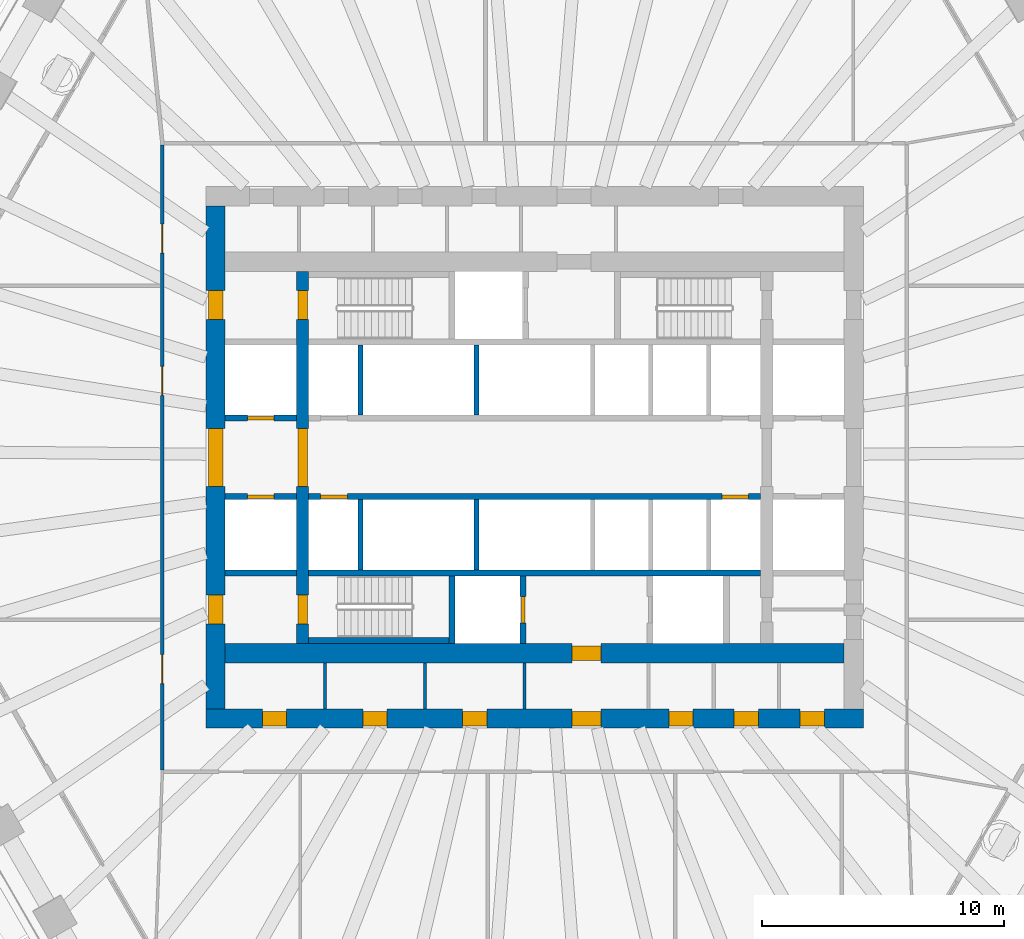
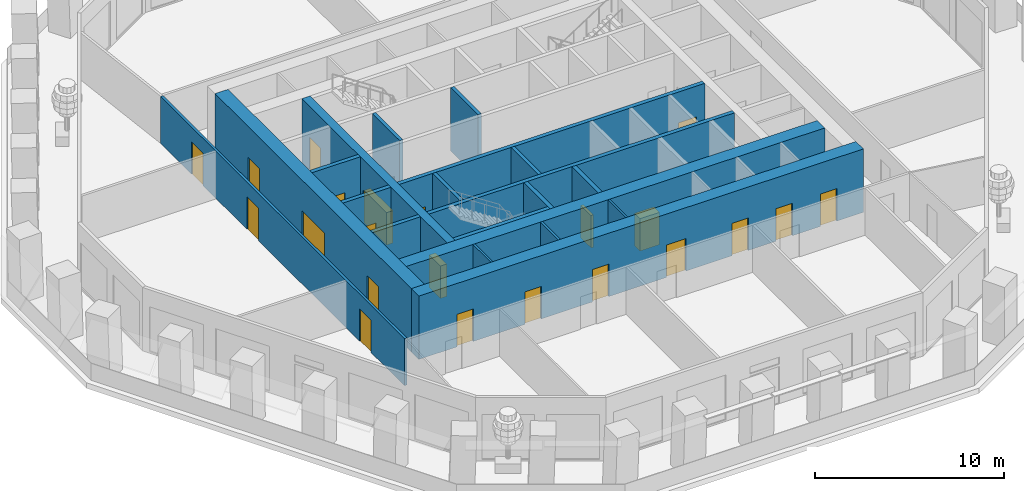
# One storey, part 4 of 12: 22 doors, 20 walls, 22 openings.
"""IFC4 building model written with IfcOpenShell, lengths in metres."""

from ifc_helpers import new_model, si_unit, direction, frame, frame_2d, origin, place, context, subcontext, project, spatial, rectangle, extrude, material, layer, layer_set, type_object, element, fill, save


model = new_model("IFC4")

# Units and contexts
model_context = context("Model", 3, precision=1e-05, world=origin(), true_north=direction((0.0, 1.0)))
body_context = subcontext(model_context, "Body", "Model", "MODEL_VIEW")
ifc_project = project(units=[si_unit("LENGTHUNIT", "METRE"), si_unit("AREAUNIT", "SQUARE_METRE"), si_unit("VOLUMEUNIT", "CUBIC_METRE"), si_unit("PLANEANGLEUNIT", "RADIAN"), si_unit("MASSUNIT", "GRAM", prefix="KILO")], contexts=[model_context])

# Site, building, storey
site_placement = place(None, origin())
site = spatial("IfcSite", under=ifc_project, at=site_placement, CompositionType="ELEMENT")
building_placement = place(site_placement, origin())
building = spatial("IfcBuilding", under=site, at=building_placement, Name="Frailejon Research Tower", CompositionType="ELEMENT")
storey_placement = place(building_placement, frame((0.0, 0.0, 89.60009765625)))
storey = spatial("IfcBuildingStorey", under=building, at=storey_placement, Name="L19", CompositionType="ELEMENT", Elevation=89.60009765625)

# Walls
ifc_material_1 = material(Name="Plasterboard on steel studs", Category="steel")
ifc_layer_1 = layer(ifc_material_1, 0.125)
ifc_layer_set_1 = layer_set([ifc_layer_1], Name="Core partition 125")
wall_type_1 = type_object("IfcWallType", Name="Core partition 125", PredefinedType="PARTITIONING", material=ifc_layer_set_1)
for number, where, z_axis, x_axis, name in (
    (1, (-8.6708984375, -10.39990234375, 0.0), (0.0, 0.0, 1.0), (0.0, 1.0, 0.0), "Core partition"),
    (2, (-4.541748046875, -10.39990234375, 0.0), (0.0, 0.0, 1.0), (0.0, 1.0, 0.0), "Core partition"),
    (3, (-0.41259765625, -10.39990234375, 0.0), (0.0, 0.0, 1.0), (0.0, 1.0, 0.0), "Core partition"),
):
    element("IfcWall", number, at=place(storey_placement, frame(where, z_axis=z_axis, x_axis=x_axis)), inside=storey, type_object=wall_type_1, Name=name, PredefinedType="PARTITIONING", context=body_context, shape_type="SweptSolid", body=[
        extrude(rectangle(XDim=1.89990234375, YDim=0.125, at=frame_2d((0.949951171875, 0.0))), origin(), (0.0, 0.0, 1.0), 4.099853515625),
    ])

# Wall, openings, doors
ifc_material_2 = material(Name="Concrete C70/85", Category="concrete")
ifc_layer_2 = layer(ifc_material_2, 0.5)
ifc_layer_set_2 = layer_set([ifc_layer_2], Name="Core shear wall 500 C70/85")
wall_type_2 = type_object("IfcWallType", Name="Core shear wall 500 C70/85", PredefinedType="SHEAR", material=ifc_layer_set_2)
wall_1_placement = place(storey_placement, frame((-9.60009765625, -7.699951171875, 0.0), z_axis=(0.0, 0.0, 1.0), x_axis=(0.0, 1.0, 0.0)))
wall_1 = element("IfcWall", 4, at=wall_1_placement, inside=storey, type_object=wall_type_2, Name="Core shear wall", PredefinedType="SHEAR", context=body_context, shape_type="SweptSolid", body=[
    extrude(rectangle(XDim=15.39990234375, YDim=0.5, at=frame_2d((7.699951171875, 0.0))), origin(), (0.0, 0.0, 1.0), 4.099853515625),
])
opening_1_placement = place(wall_1_placement, frame((6.5, 0.0, 0.0)))
opening_1 = element("IfcOpeningElement", 5, at=opening_1_placement, cuts=wall_1, Name="Opening D2", PredefinedType="OPENING", context=body_context, shape_type="SweptSolid", body=[
    extrude(rectangle(XDim=2.39990234375, YDim=2.10009765625, at=frame_2d((1.199951171875, 1.050048828125))), frame((0.0, 0.260009765625, 0.0), z_axis=(0.0, -1.0, 0.0), x_axis=(1.0, 0.0, 0.0)), (0.0, 0.0, 1.0), 0.52001953125),
])
opening_2_placement = place(wall_1_placement, frame((13.39990234375, 0.0, 0.0)))
opening_2 = element("IfcOpeningElement", 6, at=opening_2_placement, cuts=wall_1, Name="Opening D1", PredefinedType="OPENING", context=body_context, shape_type="SweptSolid", body=[
    extrude(rectangle(XDim=1.199951171875, YDim=2.10009765625, at=frame_2d((0.60009765625, 1.050048828125))), frame((0.0, 0.260009765625, 0.0), z_axis=(0.0, -1.0, 0.0), x_axis=(1.0, 0.0, 0.0)), (0.0, 0.0, 1.0), 0.52001953125),
])
opening_3_placement = place(wall_1_placement, frame((0.800048828125, 0.0, 0.0)))
opening_3 = element("IfcOpeningElement", 7, at=opening_3_placement, cuts=wall_1, Name="Opening D1", PredefinedType="OPENING", context=body_context, shape_type="SweptSolid", body=[
    extrude(rectangle(XDim=1.199951171875, YDim=2.10009765625, at=frame_2d((0.60009765625, 1.050048828125))), frame((0.0, 0.260009765625, 0.0), z_axis=(0.0, -1.0, 0.0), x_axis=(1.0, 0.0, 0.0)), (0.0, 0.0, 1.0), 0.52001953125),
])
ifc_material_3 = material(Name="Steel", Category="steel")
door_type_1 = type_object("IfcDoorType", Name="Lobby double door", OperationType="DOUBLE_DOOR_SINGLE_SWING", PredefinedType="DOOR", material=ifc_material_3)
door_1_placement = place(opening_1_placement, origin())
door_1 = element("IfcDoor", 8, at=door_1_placement, inside=storey, type_object=door_type_1, Name="Lobby door", OperationType="DOUBLE_DOOR_SINGLE_SWING", OverallHeight=2.10009765625, OverallWidth=2.39990234375, PredefinedType="DOOR", context=body_context, shape_type="SweptSolid", body=[
    extrude(rectangle(XDim=2.39990234375, YDim=2.10009765625, at=frame_2d((1.199951171875, 1.050048828125))), frame((0.0, 0.199951171875, 0.0), z_axis=(0.0, -1.0, 0.0), x_axis=(1.0, 0.0, 0.0)), (0.0, 0.0, 1.0), 0.39990234375),
])
fill(opening_1, door_1)
ifc_material_4 = material(Name="Steel", Category="steel")
door_type_2 = type_object("IfcDoorType", Name="Stair door", OperationType="SINGLE_SWING_LEFT", PredefinedType="DOOR", material=ifc_material_4)
door_2_placement = place(opening_2_placement, origin())
door_2 = element("IfcDoor", 9, at=door_2_placement, inside=storey, type_object=door_type_2, Name="Stair door ST1", OperationType="SINGLE_SWING_LEFT", OverallHeight=2.10009765625, OverallWidth=1.199951171875, PredefinedType="DOOR", context=body_context, shape_type="SweptSolid", body=[
    extrude(rectangle(XDim=1.199951171875, YDim=2.10009765625, at=frame_2d((0.60009765625, 1.050048828125))), frame((0.0, 0.199951171875, 0.0), z_axis=(0.0, -1.0, 0.0), x_axis=(1.0, 0.0, 0.0)), (0.0, 0.0, 1.0), 0.39990234375),
])
fill(opening_2, door_2)
door_3_placement = place(opening_3_placement, origin())
door_3 = element("IfcDoor", 10, at=door_3_placement, inside=storey, type_object=door_type_2, Name="Stair door ST2", OperationType="SINGLE_SWING_LEFT", OverallHeight=2.10009765625, OverallWidth=1.199951171875, PredefinedType="DOOR", context=body_context, shape_type="SweptSolid", body=[
    extrude(rectangle(XDim=1.199951171875, YDim=2.10009765625, at=frame_2d((0.60009765625, 1.050048828125))), frame((0.0, 0.199951171875, 0.0), z_axis=(0.0, -1.0, 0.0), x_axis=(1.0, 0.0, 0.0)), (0.0, 0.0, 1.0), 0.39990234375),
])
fill(opening_3, door_3)

ifc_material_5 = material(Name="Concrete C70/85", Category="concrete")
ifc_layer_3 = layer(ifc_material_5, 0.800048828125)
ifc_layer_set_3 = layer_set([ifc_layer_3], Name="Core shear wall 800 C70/85")
wall_type_3 = type_object("IfcWallType", Name="Core shear wall 800 C70/85", PredefinedType="SHEAR", material=ifc_layer_set_3)
wall_2_placement = place(storey_placement, frame((-13.60009765625, -10.800048828125, 0.0), z_axis=(0.0, 0.0, 1.0), x_axis=(1.0, 0.0, 0.0)))
wall_2 = element("IfcWall", 11, at=wall_2_placement, inside=storey, type_object=wall_type_3, Name="Core shear wall", PredefinedType="SHEAR", context=body_context, shape_type="SweptSolid", body=[
    extrude(rectangle(XDim=27.2001953125, YDim=0.800048828125, at=frame_2d((13.60009765625, 0.0))), origin(), (0.0, 0.0, 1.0), 4.099853515625),
])
opening_4_placement = place(wall_2_placement, frame((2.333251953125, 0.0, 0.0)))
opening_4 = element("IfcOpeningElement", 12, at=opening_4_placement, cuts=wall_2, Name="Opening D4", PredefinedType="OPENING", context=body_context, shape_type="SweptSolid", body=[
    extrude(rectangle(XDim=1.0, YDim=2.10009765625, at=frame_2d((0.5, 1.050048828125))), frame((0.0, 0.409912109375, 0.0), z_axis=(0.0, -1.0, 0.0), x_axis=(1.0, 0.0, 0.0)), (0.0, 0.0, 1.0), 0.820068359375),
])
opening_5_placement = place(wall_2_placement, frame((6.493896484375, 0.0, 0.0)))
opening_5 = element("IfcOpeningElement", 13, at=opening_5_placement, cuts=wall_2, Name="Opening D4", PredefinedType="OPENING", context=body_context, shape_type="SweptSolid", body=[
    extrude(rectangle(XDim=1.0, YDim=2.10009765625, at=frame_2d((0.5, 1.050048828125))), frame((0.0, 0.409912109375, 0.0), z_axis=(0.0, -1.0, 0.0), x_axis=(1.0, 0.0, 0.0)), (0.0, 0.0, 1.0), 0.820068359375),
])
opening_6_placement = place(wall_2_placement, frame((10.622802734375, 0.0, 0.0)))
opening_6 = element("IfcOpeningElement", 14, at=opening_6_placement, cuts=wall_2, Name="Opening D4", PredefinedType="OPENING", context=body_context, shape_type="SweptSolid", body=[
    extrude(rectangle(XDim=1.0, YDim=2.10009765625, at=frame_2d((0.5, 1.050048828125))), frame((0.0, 0.409912109375, 0.0), z_axis=(0.0, -1.0, 0.0), x_axis=(1.0, 0.0, 0.0)), (0.0, 0.0, 1.0), 0.820068359375),
])
opening_7_placement = place(wall_2_placement, frame((19.160400390625, 0.0, 0.0)))
opening_7 = element("IfcOpeningElement", 15, at=opening_7_placement, cuts=wall_2, Name="Opening D4", PredefinedType="OPENING", context=body_context, shape_type="SweptSolid", body=[
    extrude(rectangle(XDim=1.0, YDim=2.10009765625, at=frame_2d((0.5, 1.050048828125))), frame((0.0, 0.409912109375, 0.0), z_axis=(0.0, -1.0, 0.0), x_axis=(1.0, 0.0, 0.0)), (0.0, 0.0, 1.0), 0.820068359375),
])
opening_8_placement = place(wall_2_placement, frame((21.856201171875, 0.0, 0.0)))
opening_8 = element("IfcOpeningElement", 16, at=opening_8_placement, cuts=wall_2, Name="Opening D4", PredefinedType="OPENING", context=body_context, shape_type="SweptSolid", body=[
    extrude(rectangle(XDim=1.0, YDim=2.10009765625, at=frame_2d((0.5, 1.050048828125))), frame((0.0, 0.409912109375, 0.0), z_axis=(0.0, -1.0, 0.0), x_axis=(1.0, 0.0, 0.0)), (0.0, 0.0, 1.0), 0.820068359375),
])
opening_9_placement = place(wall_2_placement, frame((24.583251953125, 0.0, 0.0)))
opening_9 = element("IfcOpeningElement", 17, at=opening_9_placement, cuts=wall_2, Name="Opening D4", PredefinedType="OPENING", context=body_context, shape_type="SweptSolid", body=[
    extrude(rectangle(XDim=1.0, YDim=2.10009765625, at=frame_2d((0.5, 1.050048828125))), frame((0.0, 0.409912109375, 0.0), z_axis=(0.0, -1.0, 0.0), x_axis=(1.0, 0.0, 0.0)), (0.0, 0.0, 1.0), 0.820068359375),
])
opening_10_placement = place(wall_2_placement, frame((15.14990234375, 0.0, 0.0)))
opening_10 = element("IfcOpeningElement", 18, at=opening_10_placement, cuts=wall_2, Name="Opening D3", PredefinedType="OPENING", context=body_context, shape_type="SweptSolid", body=[
    extrude(rectangle(XDim=1.199951171875, YDim=2.10009765625, at=frame_2d((0.60009765625, 1.050048828125))), frame((0.0, 0.409912109375, 0.0), z_axis=(0.0, -1.0, 0.0), x_axis=(1.0, 0.0, 0.0)), (0.0, 0.0, 1.0), 0.820068359375),
])
ifc_material_6 = material(Name="Steel", Category="steel")
door_type_3 = type_object("IfcDoorType", Name="Firefighting lobby door", OperationType="SINGLE_SWING_LEFT", PredefinedType="DOOR", material=ifc_material_6)
door_4_placement = place(opening_10_placement, origin())
door_4 = element("IfcDoor", 19, at=door_4_placement, inside=storey, type_object=door_type_3, Name="Passage door", OperationType="SINGLE_SWING_RIGHT", OverallHeight=2.10009765625, OverallWidth=1.199951171875, PredefinedType="DOOR", context=body_context, shape_type="SweptSolid", body=[
    extrude(rectangle(XDim=1.199951171875, YDim=2.10009765625, at=frame_2d((0.60009765625, 1.050048828125))), frame((0.0, 0.300048828125, 0.0), z_axis=(0.0, -1.0, 0.0), x_axis=(1.0, 0.0, 0.0)), (0.0, 0.0, 1.0), 0.60009765625),
])
fill(opening_10, door_4)
ifc_material_7 = material(Name="Steel", Category="steel")
door_type_4 = type_object("IfcDoorType", Name="Service door", OperationType="SINGLE_SWING_LEFT", PredefinedType="DOOR", material=ifc_material_7)
door_5_placement = place(opening_4_placement, origin())
door_5 = element("IfcDoor", 20, at=door_5_placement, inside=storey, type_object=door_type_4, Name="Room door", OperationType="SINGLE_SWING_RIGHT", OverallHeight=2.10009765625, OverallWidth=1.0, PredefinedType="DOOR", context=body_context, shape_type="SweptSolid", body=[
    extrude(rectangle(XDim=1.0, YDim=2.10009765625, at=frame_2d((0.5, 1.050048828125))), frame((0.0, 0.300048828125, 0.0), z_axis=(0.0, -1.0, 0.0), x_axis=(1.0, 0.0, 0.0)), (0.0, 0.0, 1.0), 0.60009765625),
])
fill(opening_4, door_5)
door_6_placement = place(opening_5_placement, origin())
door_6 = element("IfcDoor", 21, at=door_6_placement, inside=storey, type_object=door_type_4, Name="Room door", OperationType="SINGLE_SWING_LEFT", OverallHeight=2.10009765625, OverallWidth=1.0, PredefinedType="DOOR", context=body_context, shape_type="SweptSolid", body=[
    extrude(rectangle(XDim=1.0, YDim=2.10009765625, at=frame_2d((0.5, 1.050048828125))), frame((0.0, 0.300048828125, 0.0), z_axis=(0.0, -1.0, 0.0), x_axis=(1.0, 0.0, 0.0)), (0.0, 0.0, 1.0), 0.60009765625),
])
fill(opening_5, door_6)
door_7_placement = place(opening_6_placement, origin())
door_7 = element("IfcDoor", 22, at=door_7_placement, inside=storey, type_object=door_type_4, Name="Room door", OperationType="SINGLE_SWING_RIGHT", OverallHeight=2.10009765625, OverallWidth=1.0, PredefinedType="DOOR", context=body_context, shape_type="SweptSolid", body=[
    extrude(rectangle(XDim=1.0, YDim=2.10009765625, at=frame_2d((0.5, 1.050048828125))), frame((0.0, 0.300048828125, 0.0), z_axis=(0.0, -1.0, 0.0), x_axis=(1.0, 0.0, 0.0)), (0.0, 0.0, 1.0), 0.60009765625),
])
fill(opening_6, door_7)
door_8_placement = place(opening_7_placement, origin())
door_8 = element("IfcDoor", 23, at=door_8_placement, inside=storey, type_object=door_type_4, Name="Room door", OperationType="SINGLE_SWING_LEFT", OverallHeight=2.10009765625, OverallWidth=1.0, PredefinedType="DOOR", context=body_context, shape_type="SweptSolid", body=[
    extrude(rectangle(XDim=1.0, YDim=2.10009765625, at=frame_2d((0.5, 1.050048828125))), frame((0.0, 0.300048828125, 0.0), z_axis=(0.0, -1.0, 0.0), x_axis=(1.0, 0.0, 0.0)), (0.0, 0.0, 1.0), 0.60009765625),
])
fill(opening_7, door_8)
door_9_placement = place(opening_8_placement, origin())
door_9 = element("IfcDoor", 24, at=door_9_placement, inside=storey, type_object=door_type_4, Name="Room door", OperationType="SINGLE_SWING_RIGHT", OverallHeight=2.10009765625, OverallWidth=1.0, PredefinedType="DOOR", context=body_context, shape_type="SweptSolid", body=[
    extrude(rectangle(XDim=1.0, YDim=2.10009765625, at=frame_2d((0.5, 1.050048828125))), frame((0.0, 0.300048828125, 0.0), z_axis=(0.0, -1.0, 0.0), x_axis=(1.0, 0.0, 0.0)), (0.0, 0.0, 1.0), 0.60009765625),
])
fill(opening_8, door_9)
door_10_placement = place(opening_9_placement, origin())
door_10 = element("IfcDoor", 25, at=door_10_placement, inside=storey, type_object=door_type_4, Name="Room door", OperationType="SINGLE_SWING_LEFT", OverallHeight=2.10009765625, OverallWidth=1.0, PredefinedType="DOOR", context=body_context, shape_type="SweptSolid", body=[
    extrude(rectangle(XDim=1.0, YDim=2.10009765625, at=frame_2d((0.5, 1.050048828125))), frame((0.0, 0.300048828125, 0.0), z_axis=(0.0, -1.0, 0.0), x_axis=(1.0, 0.0, 0.0)), (0.0, 0.0, 1.0), 0.60009765625),
])
fill(opening_9, door_10)

wall_3_placement = place(storey_placement, frame((-13.199951171875, -10.39990234375, 0.0), z_axis=(0.0, 0.0, 1.0), x_axis=(0.0, 1.0, 0.0)))
wall_3 = element("IfcWall", 26, at=wall_3_placement, inside=storey, type_object=wall_type_3, Name="Core shear wall", PredefinedType="SHEAR", context=body_context, shape_type="SweptSolid", body=[
    extrude(rectangle(XDim=20.7998046875, YDim=0.800048828125, at=frame_2d((10.39990234375, 0.0))), origin(), (0.0, 0.0, 1.0), 4.099853515625),
])
opening_11_placement = place(wall_3_placement, frame((9.199951171875, 0.0, 0.0)))
opening_11 = element("IfcOpeningElement", 27, at=opening_11_placement, cuts=wall_3, Name="Opening D2", PredefinedType="OPENING", context=body_context, shape_type="SweptSolid", body=[
    extrude(rectangle(XDim=2.39990234375, YDim=2.10009765625, at=frame_2d((1.199951171875, 1.050048828125))), frame((0.0, 0.409912109375, 0.0), z_axis=(0.0, -1.0, 0.0), x_axis=(1.0, 0.0, 0.0)), (0.0, 0.0, 1.0), 0.820068359375),
])
opening_12_placement = place(wall_3_placement, frame((16.10009765625, 0.0, 0.0)))
opening_12 = element("IfcOpeningElement", 28, at=opening_12_placement, cuts=wall_3, Name="Opening D7", PredefinedType="OPENING", context=body_context, shape_type="SweptSolid", body=[
    extrude(rectangle(XDim=1.199951171875, YDim=2.10009765625, at=frame_2d((0.60009765625, 1.050048828125))), frame((0.0, 0.409912109375, 0.0), z_axis=(0.0, -1.0, 0.0), x_axis=(1.0, 0.0, 0.0)), (0.0, 0.0, 1.0), 0.820068359375),
])
opening_13_placement = place(wall_3_placement, frame((3.5, 0.0, 0.0)))
opening_13 = element("IfcOpeningElement", 29, at=opening_13_placement, cuts=wall_3, Name="Opening D7", PredefinedType="OPENING", context=body_context, shape_type="SweptSolid", body=[
    extrude(rectangle(XDim=1.199951171875, YDim=2.10009765625, at=frame_2d((0.60009765625, 1.050048828125))), frame((0.0, 0.409912109375, 0.0), z_axis=(0.0, -1.0, 0.0), x_axis=(1.0, 0.0, 0.0)), (0.0, 0.0, 1.0), 0.820068359375),
])
door_11_placement = place(opening_11_placement, origin())
door_11 = element("IfcDoor", 30, at=door_11_placement, inside=storey, type_object=door_type_1, Name="Lobby door", OperationType="DOUBLE_DOOR_SINGLE_SWING", OverallHeight=2.10009765625, OverallWidth=2.39990234375, PredefinedType="DOOR", context=body_context, shape_type="SweptSolid", body=[
    extrude(rectangle(XDim=2.39990234375, YDim=2.10009765625, at=frame_2d((1.199951171875, 1.050048828125))), frame((0.0, 0.300048828125, 0.0), z_axis=(0.0, -1.0, 0.0), x_axis=(1.0, 0.0, 0.0)), (0.0, 0.0, 1.0), 0.60009765625),
])
fill(opening_11, door_11)
ifc_material_8 = material(Name="Steel", Category="steel")
door_type_5 = type_object("IfcDoorType", Name="Stair exit door", OperationType="SINGLE_SWING_LEFT", PredefinedType="DOOR", material=ifc_material_8)
door_12_placement = place(opening_12_placement, origin())
door_12 = element("IfcDoor", 31, at=door_12_placement, inside=storey, type_object=door_type_5, Name="Stair exit door ST1", OperationType="SINGLE_SWING_RIGHT", OverallHeight=2.10009765625, OverallWidth=1.199951171875, PredefinedType="DOOR", context=body_context, shape_type="SweptSolid", body=[
    extrude(rectangle(XDim=1.199951171875, YDim=2.10009765625, at=frame_2d((0.60009765625, 1.050048828125))), frame((0.0, 0.300048828125, 0.0), z_axis=(0.0, -1.0, 0.0), x_axis=(1.0, 0.0, 0.0)), (0.0, 0.0, 1.0), 0.60009765625),
])
fill(opening_12, door_12)
door_13_placement = place(opening_13_placement, origin())
door_13 = element("IfcDoor", 32, at=door_13_placement, inside=storey, type_object=door_type_5, Name="Stair exit door ST2", OperationType="SINGLE_SWING_RIGHT", OverallHeight=2.10009765625, OverallWidth=1.199951171875, PredefinedType="DOOR", context=body_context, shape_type="SweptSolid", body=[
    extrude(rectangle(XDim=1.199951171875, YDim=2.10009765625, at=frame_2d((0.60009765625, 1.050048828125))), frame((0.0, 0.300048828125, 0.0), z_axis=(0.0, -1.0, 0.0), x_axis=(1.0, 0.0, 0.0)), (0.0, 0.0, 1.0), 0.60009765625),
])
fill(opening_13, door_13)

# Wall, opening, door
wall_4_placement = place(storey_placement, frame((-12.800048828125, -8.10009765625, 0.0), z_axis=(0.0, 0.0, 1.0), x_axis=(1.0, 0.0, 0.0)))
wall_4 = element("IfcWall", 33, at=wall_4_placement, inside=storey, type_object=wall_type_3, Name="Core shear wall", PredefinedType="SHEAR", context=body_context, shape_type="SweptSolid", body=[
    extrude(rectangle(XDim=25.60009765625, YDim=0.800048828125, at=frame_2d((12.800048828125, 0.0))), origin(), (0.0, 0.0, 1.0), 4.099853515625),
])
opening_14_placement = place(wall_4_placement, frame((14.35009765625, 0.0, 0.0)))
opening_14 = element("IfcOpeningElement", 34, at=opening_14_placement, cuts=wall_4, Name="Opening D3", PredefinedType="OPENING", context=body_context, shape_type="SweptSolid", body=[
    extrude(rectangle(XDim=1.199951171875, YDim=2.10009765625, at=frame_2d((0.60009765625, 1.050048828125))), frame((0.0, 0.409912109375, 0.0), z_axis=(0.0, -1.0, 0.0), x_axis=(1.0, 0.0, 0.0)), (0.0, 0.0, 1.0), 0.820068359375),
])
door_14_placement = place(opening_14_placement, origin())
door_14 = element("IfcDoor", 35, at=door_14_placement, inside=storey, type_object=door_type_3, Name="Firefighting lobby door", OperationType="SINGLE_SWING_LEFT", OverallHeight=2.10009765625, OverallWidth=1.199951171875, PredefinedType="DOOR", context=body_context, shape_type="SweptSolid", body=[
    extrude(rectangle(XDim=1.199951171875, YDim=2.10009765625, at=frame_2d((0.60009765625, 1.050048828125))), frame((0.0, 0.300048828125, 0.0), z_axis=(0.0, -1.0, 0.0), x_axis=(1.0, 0.0, 0.0)), (0.0, 0.0, 1.0), 0.60009765625),
])
fill(opening_14, door_14)

# Wall, openings, doors
ifc_material_9 = material(Name="Gypsum board and masonry partition", Category="masonry")
ifc_layer_4 = layer(ifc_material_9, 0.14990234375)
ifc_layer_set_4 = layer_set([ifc_layer_4], Name="Corridor wall EI 60, gypsum on steel studs 150")
wall_type_4 = type_object("IfcWallType", Name="Corridor wall EI 60, gypsum on steel studs 150", PredefinedType="PARTITIONING", material=ifc_layer_set_4)
wall_5_placement = place(storey_placement, frame((-15.39990234375, -12.925048828125, 0.0), z_axis=(0.0, 0.0, 1.0), x_axis=(0.0, 1.0, 0.0)))
wall_5 = element("IfcWall", 36, at=wall_5_placement, inside=storey, type_object=wall_type_4, Name="T:IW:L19:003", PredefinedType="PARTITIONING", context=body_context, shape_type="SweptSolid", body=[
    extrude(rectangle(XDim=25.85009765625, YDim=0.14990234375, at=frame_2d((12.925048828125, 0.0))), origin(), (0.0, 0.0, 1.0), 3.0498046875),
])
opening_15_placement = place(wall_5_placement, frame((21.374755859375, 0.0, 0.0)))
opening_15 = element("IfcOpeningElement", 37, at=opening_15_placement, cuts=wall_5, Name="Opening D1518", PredefinedType="OPENING", context=body_context, shape_type="SweptSolid", body=[
    extrude(rectangle(XDim=1.199951171875, YDim=2.10009765625, at=frame_2d((0.60009765625, 1.050048828125))), frame((0.0, 0.0849609375, 0.0), z_axis=(0.0, -1.0, 0.0), x_axis=(1.0, 0.0, 0.0)), (0.0, 0.0, 1.0), 0.169921875),
])
opening_16_placement = place(wall_5_placement, frame((15.49658203125, 0.0, 0.0)))
opening_16 = element("IfcOpeningElement", 38, at=opening_16_placement, cuts=wall_5, Name="Opening D1519", PredefinedType="OPENING", context=body_context, shape_type="SweptSolid", body=[
    extrude(rectangle(XDim=1.199951171875, YDim=2.10009765625, at=frame_2d((0.60009765625, 1.050048828125))), frame((0.0, 0.0849609375, 0.0), z_axis=(0.0, -1.0, 0.0), x_axis=(1.0, 0.0, 0.0)), (0.0, 0.0, 1.0), 0.169921875),
])
opening_17_placement = place(wall_5_placement, frame((3.565673828125, 0.0, 0.0)))
opening_17 = element("IfcOpeningElement", 39, at=opening_17_placement, cuts=wall_5, Name="Opening D1520", PredefinedType="OPENING", context=body_context, shape_type="SweptSolid", body=[
    extrude(rectangle(XDim=1.199951171875, YDim=2.10009765625, at=frame_2d((0.60009765625, 1.050048828125))), frame((0.0, 0.0849609375, 0.0), z_axis=(0.0, -1.0, 0.0), x_axis=(1.0, 0.0, 0.0)), (0.0, 0.0, 1.0), 0.169921875),
])
ifc_material_10 = material(Name="Timber door leaf", Category="wood")
door_type_6 = type_object("IfcDoorType", Name="Door laboratory, timber, vision panel 1200", OperationType="NOTDEFINED", PredefinedType="DOOR", material=ifc_material_10)
door_15_placement = place(opening_15_placement, origin())
door_15 = element("IfcDoor", 40, at=door_15_placement, inside=storey, type_object=door_type_6, Name="D1518", OperationType="DOUBLE_DOOR_SINGLE_SWING", OverallHeight=2.10009765625, OverallWidth=1.199951171875, PredefinedType="DOOR", context=body_context, shape_type="SweptSolid", body=[
    extrude(rectangle(XDim=1.199951171875, YDim=2.10009765625, at=frame_2d((0.60009765625, 1.050048828125))), frame((0.0, 0.02490234375, 0.0), z_axis=(0.0, -1.0, 0.0), x_axis=(1.0, 0.0, 0.0)), (0.0, 0.0, 1.0), 0.050048828125),
])
fill(opening_15, door_15)
door_16_placement = place(opening_16_placement, origin())
door_16 = element("IfcDoor", 41, at=door_16_placement, inside=storey, type_object=door_type_6, Name="D1519", OperationType="DOUBLE_DOOR_SINGLE_SWING", OverallHeight=2.10009765625, OverallWidth=1.199951171875, PredefinedType="DOOR", context=body_context, shape_type="SweptSolid", body=[
    extrude(rectangle(XDim=1.199951171875, YDim=2.10009765625, at=frame_2d((0.60009765625, 1.050048828125))), frame((0.0, 0.02490234375, 0.0), z_axis=(0.0, -1.0, 0.0), x_axis=(1.0, 0.0, 0.0)), (0.0, 0.0, 1.0), 0.050048828125),
])
fill(opening_16, door_16)
ifc_material_11 = material(Name="Timber door leaf", Category="wood")
door_type_7 = type_object("IfcDoorType", Name="Door single leaf, timber, steel frame 1200", OperationType="NOTDEFINED", PredefinedType="DOOR", material=ifc_material_11)
door_17_placement = place(opening_17_placement, origin())
door_17 = element("IfcDoor", 42, at=door_17_placement, inside=storey, type_object=door_type_7, Name="D1520", OperationType="DOUBLE_DOOR_SINGLE_SWING", OverallHeight=2.10009765625, OverallWidth=1.199951171875, PredefinedType="DOOR", context=body_context, shape_type="SweptSolid", body=[
    extrude(rectangle(XDim=1.199951171875, YDim=2.10009765625, at=frame_2d((0.60009765625, 1.050048828125))), frame((0.0, 0.02490234375, 0.0), z_axis=(0.0, -1.0, 0.0), x_axis=(1.0, 0.0, 0.0)), (0.0, 0.0, 1.0), 0.050048828125),
])
fill(opening_17, door_17)

# Walls
ifc_material_12 = material(Name="Concrete C70/85", Category="concrete")
ifc_layer_5 = layer(ifc_material_12, 0.199951171875)
ifc_layer_set_5 = layer_set([ifc_layer_5], Name="Shaft wall 200 C70/85")
wall_type_5 = type_object("IfcWallType", Name="Shaft wall 200 C70/85", PredefinedType="SOLIDWALL", material=ifc_layer_set_5)
for number, where, z_axis, x_axis, name in (
    (43, (-7.199951171875, 1.75, 0.0), (0.0, 0.0, 1.0), (0.0, 1.0, 0.0), "Shaft wall"),
    (44, (-2.39990234375, 1.75, 0.0), (0.0, 0.0, 1.0), (0.0, 1.0, 0.0), "Shaft wall"),
    (45, (-7.199951171875, -4.64990234375, 0.0), (0.0, 0.0, 1.0), (0.0, 1.0, 0.0), "Shaft wall"),
    (46, (-2.39990234375, -4.64990234375, 0.0), (0.0, 0.0, 1.0), (0.0, 1.0, 0.0), "Shaft wall"),
):
    element("IfcWall", number, at=place(storey_placement, frame(where, z_axis=z_axis, x_axis=x_axis)), inside=storey, type_object=wall_type_5, Name=name, PredefinedType="SOLIDWALL", context=body_context, shape_type="SweptSolid", body=[
        extrude(rectangle(XDim=2.89990234375, YDim=0.199951171875, at=frame_2d((1.449951171875, 0.0))), origin(), (0.0, 0.0, 1.0), 4.099853515625),
    ])

# Wall, opening, door
ifc_material_13 = material(Name="Concrete C70/85", Category="concrete")
ifc_layer_6 = layer(ifc_material_13, 0.25)
ifc_layer_set_6 = layer_set([ifc_layer_6], Name="Shaft wall 250 C70/85")
wall_type_6 = type_object("IfcWallType", Name="Shaft wall 250 C70/85", PredefinedType="SOLIDWALL", material=ifc_layer_set_6)
wall_6_placement = place(storey_placement, frame((-12.800048828125, 1.625, 0.0), z_axis=(0.0, 0.0, 1.0), x_axis=(1.0, 0.0, 0.0)))
wall_6 = element("IfcWall", 47, at=wall_6_placement, inside=storey, type_object=wall_type_6, Name="Shaft wall", PredefinedType="SOLIDWALL", context=body_context, shape_type="SweptSolid", body=[
    extrude(rectangle(XDim=2.949951171875, YDim=0.25, at=frame_2d((1.47509765625, 0.0))), origin(), (0.0, 0.0, 1.0), 4.099853515625),
])
opening_18_placement = place(wall_6_placement, frame((0.925048828125, 0.0, 0.0)))
opening_18 = element("IfcOpeningElement", 48, at=opening_18_placement, cuts=wall_6, Name="Opening LD", PredefinedType="OPENING", context=body_context, shape_type="SweptSolid", body=[
    extrude(rectangle(XDim=1.10009765625, YDim=2.10009765625, at=frame_2d((0.550048828125, 1.050048828125))), frame((0.0, 0.135009765625, 0.0), z_axis=(0.0, -1.0, 0.0), x_axis=(1.0, 0.0, 0.0)), (0.0, 0.0, 1.0), 0.27001953125),
])
ifc_material_14 = material(Name="Steel", Category="steel")
door_type_8 = type_object("IfcDoorType", Name="Lift landing door", OperationType="DOUBLE_DOOR_SLIDING", PredefinedType="DOOR", material=ifc_material_14)
door_18_placement = place(opening_18_placement, origin())
door_18 = element("IfcDoor", 49, at=door_18_placement, inside=storey, type_object=door_type_8, Name="Lift landing door", OperationType="DOUBLE_DOOR_SLIDING", OverallHeight=2.10009765625, OverallWidth=1.10009765625, PredefinedType="DOOR", context=body_context, shape_type="SweptSolid", body=[
    extrude(rectangle(XDim=1.10009765625, YDim=2.10009765625, at=frame_2d((0.550048828125, 1.050048828125))), frame((0.0, 0.074951171875, 0.0), z_axis=(0.0, -1.0, 0.0), x_axis=(1.0, 0.0, 0.0)), (0.0, 0.0, 1.0), 0.14990234375),
])
fill(opening_18, door_18)

wall_7_placement = place(storey_placement, frame((-12.800048828125, -1.625, 0.0), z_axis=(0.0, 0.0, 1.0), x_axis=(1.0, 0.0, 0.0)))
wall_7 = element("IfcWall", 50, at=wall_7_placement, inside=storey, type_object=wall_type_6, Name="Shaft wall", PredefinedType="SOLIDWALL", context=body_context, shape_type="SweptSolid", body=[
    extrude(rectangle(XDim=2.949951171875, YDim=0.25, at=frame_2d((1.47509765625, 0.0))), origin(), (0.0, 0.0, 1.0), 4.099853515625),
])
opening_19_placement = place(wall_7_placement, frame((0.925048828125, 0.0, 0.0)))
opening_19 = element("IfcOpeningElement", 51, at=opening_19_placement, cuts=wall_7, Name="Opening LD", PredefinedType="OPENING", context=body_context, shape_type="SweptSolid", body=[
    extrude(rectangle(XDim=1.10009765625, YDim=2.10009765625, at=frame_2d((0.550048828125, 1.050048828125))), frame((0.0, 0.135009765625, 0.0), z_axis=(0.0, -1.0, 0.0), x_axis=(1.0, 0.0, 0.0)), (0.0, 0.0, 1.0), 0.27001953125),
])
door_19_placement = place(opening_19_placement, origin())
door_19 = element("IfcDoor", 52, at=door_19_placement, inside=storey, type_object=door_type_8, Name="Lift landing door", OperationType="DOUBLE_DOOR_SLIDING", OverallHeight=2.10009765625, OverallWidth=1.10009765625, PredefinedType="DOOR", context=body_context, shape_type="SweptSolid", body=[
    extrude(rectangle(XDim=1.10009765625, YDim=2.10009765625, at=frame_2d((0.550048828125, 1.050048828125))), frame((0.0, 0.074951171875, 0.0), z_axis=(0.0, -1.0, 0.0), x_axis=(1.0, 0.0, 0.0)), (0.0, 0.0, 1.0), 0.14990234375),
])
fill(opening_19, door_19)

# Wall, openings, doors
wall_8_placement = place(storey_placement, frame((-9.35009765625, -1.625, 0.0), z_axis=(0.0, 0.0, 1.0), x_axis=(1.0, 0.0, 0.0)))
wall_8 = element("IfcWall", 53, at=wall_8_placement, inside=storey, type_object=wall_type_6, Name="Shaft wall", PredefinedType="SOLIDWALL", context=body_context, shape_type="SweptSolid", body=[
    extrude(rectangle(XDim=18.7001953125, YDim=0.25, at=frame_2d((9.35009765625, 0.0))), origin(), (0.0, 0.0, 1.0), 4.099853515625),
])
opening_20_placement = place(wall_8_placement, frame((0.5, 0.0, 0.0)))
opening_20 = element("IfcOpeningElement", 54, at=opening_20_placement, cuts=wall_8, Name="Opening LD", PredefinedType="OPENING", context=body_context, shape_type="SweptSolid", body=[
    extrude(rectangle(XDim=1.10009765625, YDim=2.10009765625, at=frame_2d((0.550048828125, 1.050048828125))), frame((0.0, 0.135009765625, 0.0), z_axis=(0.0, -1.0, 0.0), x_axis=(1.0, 0.0, 0.0)), (0.0, 0.0, 1.0), 0.27001953125),
])
opening_21_placement = place(wall_8_placement, frame((17.10009765625, 0.0, 0.0)))
opening_21 = element("IfcOpeningElement", 55, at=opening_21_placement, cuts=wall_8, Name="Opening LD", PredefinedType="OPENING", context=body_context, shape_type="SweptSolid", body=[
    extrude(rectangle(XDim=1.10009765625, YDim=2.10009765625, at=frame_2d((0.550048828125, 1.050048828125))), frame((0.0, 0.135009765625, 0.0), z_axis=(0.0, -1.0, 0.0), x_axis=(1.0, 0.0, 0.0)), (0.0, 0.0, 1.0), 0.27001953125),
])
door_20_placement = place(opening_20_placement, origin())
door_20 = element("IfcDoor", 56, at=door_20_placement, inside=storey, type_object=door_type_8, Name="Lift landing door", OperationType="DOUBLE_DOOR_SLIDING", OverallHeight=2.10009765625, OverallWidth=1.10009765625, PredefinedType="DOOR", context=body_context, shape_type="SweptSolid", body=[
    extrude(rectangle(XDim=1.10009765625, YDim=2.10009765625, at=frame_2d((0.550048828125, 1.050048828125))), frame((0.0, 0.074951171875, 0.0), z_axis=(0.0, -1.0, 0.0), x_axis=(1.0, 0.0, 0.0)), (0.0, 0.0, 1.0), 0.14990234375),
])
fill(opening_20, door_20)
door_21_placement = place(opening_21_placement, origin())
door_21 = element("IfcDoor", 57, at=door_21_placement, inside=storey, type_object=door_type_8, Name="Lift landing door", OperationType="DOUBLE_DOOR_SLIDING", OverallHeight=2.10009765625, OverallWidth=1.10009765625, PredefinedType="DOOR", context=body_context, shape_type="SweptSolid", body=[
    extrude(rectangle(XDim=1.10009765625, YDim=2.10009765625, at=frame_2d((0.550048828125, 1.050048828125))), frame((0.0, 0.074951171875, 0.0), z_axis=(0.0, -1.0, 0.0), x_axis=(1.0, 0.0, 0.0)), (0.0, 0.0, 1.0), 0.14990234375),
])
fill(opening_21, door_21)

# Walls
wall_9_placement = place(storey_placement, frame((-12.800048828125, -4.77490234375, 0.0), z_axis=(0.0, 0.0, 1.0), x_axis=(1.0, 0.0, 0.0)))
element("IfcWall", 58, at=wall_9_placement, inside=storey, type_object=wall_type_6, Name="Shaft wall", PredefinedType="SOLIDWALL", context=body_context, shape_type="SweptSolid", body=[
    extrude(rectangle(XDim=2.949951171875, YDim=0.25, at=frame_2d((1.47509765625, 0.0))), origin(), (0.0, 0.0, 1.0), 4.099853515625),
])
wall_10_placement = place(storey_placement, frame((-9.35009765625, -4.77490234375, 0.0), z_axis=(0.0, 0.0, 1.0), x_axis=(1.0, 0.0, 0.0)))
element("IfcWall", 59, at=wall_10_placement, inside=storey, type_object=wall_type_6, Name="Shaft wall", PredefinedType="SOLIDWALL", context=body_context, shape_type="SweptSolid", body=[
    extrude(rectangle(XDim=18.7001953125, YDim=0.25, at=frame_2d((9.35009765625, 0.0))), origin(), (0.0, 0.0, 1.0), 4.099853515625),
])
wall_11_placement = place(storey_placement, frame((-9.35009765625, -7.574951171875, 0.0), z_axis=(0.0, 0.0, 1.0), x_axis=(1.0, 0.0, 0.0)))
element("IfcWall", 60, at=wall_11_placement, inside=storey, type_object=wall_type_6, Name="Shaft wall", PredefinedType="SOLIDWALL", context=body_context, shape_type="SweptSolid", body=[
    extrude(rectangle(XDim=5.800048828125, YDim=0.25, at=frame_2d((2.89990234375, 0.0))), origin(), (0.0, 0.0, 1.0), 4.099853515625),
])
wall_12_placement = place(storey_placement, frame((-3.425048828125, -7.699951171875, 0.0), z_axis=(0.0, 0.0, 1.0), x_axis=(0.0, 1.0, 0.0)))
element("IfcWall", 61, at=wall_12_placement, inside=storey, type_object=wall_type_6, Name="Shaft wall", PredefinedType="SOLIDWALL", context=body_context, shape_type="SweptSolid", body=[
    extrude(rectangle(XDim=2.800048828125, YDim=0.25, at=frame_2d((1.39990234375, 0.0))), origin(), (0.0, 0.0, 1.0), 4.099853515625),
])

# Wall, opening, door
wall_13_placement = place(storey_placement, frame((-0.47509765625, -7.699951171875, 0.0), z_axis=(0.0, 0.0, 1.0), x_axis=(0.0, 1.0, 0.0)))
wall_13 = element("IfcWall", 62, at=wall_13_placement, inside=storey, type_object=wall_type_6, Name="Shaft wall", PredefinedType="SOLIDWALL", context=body_context, shape_type="SweptSolid", body=[
    extrude(rectangle(XDim=2.800048828125, YDim=0.25, at=frame_2d((1.39990234375, 0.0))), origin(), (0.0, 0.0, 1.0), 4.099853515625),
])
opening_22_placement = place(wall_13_placement, frame((0.85009765625, 0.0, 0.0)))
opening_22 = element("IfcOpeningElement", 63, at=opening_22_placement, cuts=wall_13, Name="Opening LD", PredefinedType="OPENING", context=body_context, shape_type="SweptSolid", body=[
    extrude(rectangle(XDim=1.10009765625, YDim=2.10009765625, at=frame_2d((0.550048828125, 1.050048828125))), frame((0.0, 0.135009765625, 0.0), z_axis=(0.0, -1.0, 0.0), x_axis=(1.0, 0.0, 0.0)), (0.0, 0.0, 1.0), 0.27001953125),
])
door_22_placement = place(opening_22_placement, origin())
door_22 = element("IfcDoor", 64, at=door_22_placement, inside=storey, type_object=door_type_8, Name="Lift landing door", OperationType="DOUBLE_DOOR_SLIDING", OverallHeight=2.10009765625, OverallWidth=1.10009765625, PredefinedType="DOOR", context=body_context, shape_type="SweptSolid", body=[
    extrude(rectangle(XDim=1.10009765625, YDim=2.10009765625, at=frame_2d((0.550048828125, 1.050048828125))), frame((0.0, 0.074951171875, 0.0), z_axis=(0.0, -1.0, 0.0), x_axis=(1.0, 0.0, 0.0)), (0.0, 0.0, 1.0), 0.14990234375),
])
fill(opening_22, door_22)

save(model, "model.ifc")
